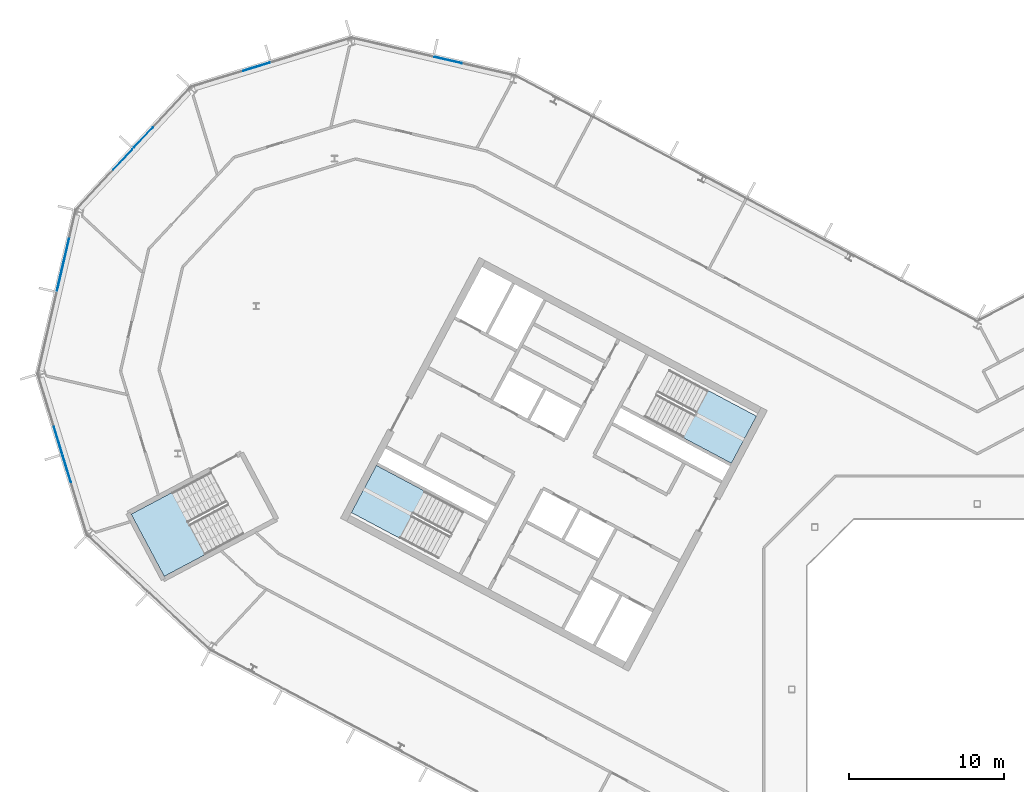
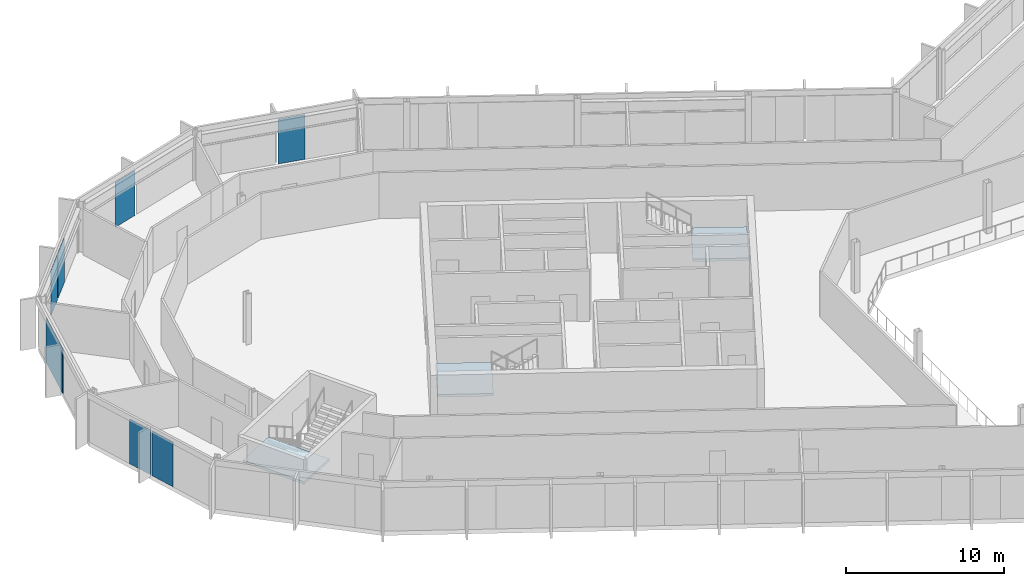
# One storey, part 11 of 26: 7 plates, 3 slabs, 8 elements without a shape of their own.
"""IFC4 building model written with IfcOpenShell, lengths in metres."""

from ifc_helpers import new_model, si_unit, direction, frame, origin, origin_2d, place, context, subcontext, project, spatial, polyline, rectangle, outline, extrude, material, layer, layer_set, type_object, element, aggregate, save


model = new_model("IFC4")

# Units and contexts
model_context = context("Model", 3, precision=1e-05, world=origin(), true_north=direction((0.0, 1.0)))
body_context = subcontext(model_context, "Body", "Model", "MODEL_VIEW")
ifc_project = project(units=[si_unit("LENGTHUNIT", "METRE"), si_unit("AREAUNIT", "SQUARE_METRE"), si_unit("VOLUMEUNIT", "CUBIC_METRE"), si_unit("PLANEANGLEUNIT", "RADIAN"), si_unit("MASSUNIT", "GRAM", prefix="KILO")], contexts=[model_context])

# Site, building, storey
site_placement = place(None, origin())
site = spatial("IfcSite", under=ifc_project, at=site_placement, CompositionType="ELEMENT")
building_placement = place(site_placement, origin())
building = spatial("IfcBuilding", under=site, at=building_placement, Name="Cormorant Relay Tower", CompositionType="ELEMENT")
storey_placement = place(building_placement, frame((0.0, 0.0, 308.699951171875)))
storey = spatial("IfcBuildingStorey", under=building, at=storey_placement, Name="L70", CompositionType="ELEMENT", Elevation=308.699951171875)

# Curtain wall, plate
ifc_material_1 = material(Name="Aluminium 6063-T6 anodised bronze", Category="aluminium")
ifc_layer_1 = layer(ifc_material_1, 0.199951171875)
ifc_layer_set_1 = layer_set([ifc_layer_1], Name="CW1 unitised bronze curtain wall with vertical fins")
curtain_wall_type = type_object("IfcCurtainWallType", Name="CW1 unitised bronze curtain wall with vertical fins", PredefinedType="NOTDEFINED", material=ifc_layer_set_1)
curtain_wall_1_placement = place(storey_placement, origin())
curtain_wall_1 = element("IfcCurtainWall", 1, at=curtain_wall_1_placement, inside=storey, type_object=curtain_wall_type, Name="CW1 curtain wall 10", PredefinedType="NOTDEFINED")
ifc_material_2 = material(Name="Tinted laminated glass", Category="glass")
ifc_layer_2 = layer(ifc_material_2, 0.0400390625)
ifc_layer_set_2 = layer_set([ifc_layer_2], Name="CW1 tinted vision panel 1800 module")
plate_type_1 = type_object("IfcPlateType", Name="CW1 tinted vision panel 1800 module", PredefinedType="CURTAIN_PANEL", material=ifc_layer_set_2)
plate_1_placement = place(storey_placement, frame((-34.215087890625, 40.69091796875, 0.0), z_axis=(0.0, 0.0, 1.0), x_axis=(-0.974370064785, 0.224951054344, 0.0)))
plate_1 = element("IfcPlate", 2, at=plate_1_placement, type_object=plate_type_1, Name="CW1 panel V01", PredefinedType="CURTAIN_PANEL", context=body_context, shape_type="SweptSolid", body=[
    extrude(rectangle(XDim=1.800048828125, YDim=0.0400390625, at=origin_2d()), origin(), (0.0, 0.0, 1.0), 3.449951171875),
])
aggregate(curtain_wall_1, [plate_1])

curtain_wall_2_placement = place(storey_placement, origin())
curtain_wall_2 = element("IfcCurtainWall", 3, at=curtain_wall_2_placement, inside=storey, type_object=curtain_wall_type, Name="CW1 curtain wall 11", PredefinedType="NOTDEFINED")
plate_2_placement = place(storey_placement, frame((-46.6015625, 40.25830078125, 0.0), z_axis=(0.0, 0.0, 1.0), x_axis=(-0.956304755963, -0.292371704723, 0.0)))
plate_2 = element("IfcPlate", 4, at=plate_2_placement, type_object=plate_type_1, Name="CW1 panel V01", PredefinedType="CURTAIN_PANEL", context=body_context, shape_type="SweptSolid", body=[
    extrude(rectangle(XDim=1.800048828125, YDim=0.0400390625, at=origin_2d()), origin(), (0.0, 0.0, 1.0), 3.449951171875),
])
aggregate(curtain_wall_2, [plate_2])

# Curtain wall, plates
curtain_wall_3_placement = place(storey_placement, origin())
curtain_wall_3 = element("IfcCurtainWall", 5, at=curtain_wall_3_placement, inside=storey, type_object=curtain_wall_type, Name="CW1 curtain wall 12", PredefinedType="NOTDEFINED")
plate_3_placement = place(storey_placement, frame((-53.91748046875, 35.68701171875, 0.0), z_axis=(0.0, 0.0, 1.0), x_axis=(-0.681998360062, -0.731353701619, 0.0)))
plate_3 = element("IfcPlate", 6, at=plate_3_placement, type_object=plate_type_1, Name="CW1 panel V01", PredefinedType="CURTAIN_PANEL", context=body_context, shape_type="SweptSolid", body=[
    extrude(rectangle(XDim=1.800048828125, YDim=0.0400390625, at=origin_2d()), origin(), (0.0, 0.0, 1.0), 3.449951171875),
])
plate_4_placement = place(storey_placement, frame((-55.247314453125, 34.2607421875, 0.0), z_axis=(0.0, 0.0, 1.0), x_axis=(-0.681998360062, -0.731353701619, 0.0)))
plate_4 = element("IfcPlate", 7, at=plate_4_placement, type_object=plate_type_1, Name="CW1 panel V02", PredefinedType="CURTAIN_PANEL", context=body_context, shape_type="SweptSolid", body=[
    extrude(rectangle(XDim=1.800048828125, YDim=0.0400390625, at=origin_2d()), origin(), (0.0, 0.0, 1.0), 3.449951171875),
])
aggregate(curtain_wall_3, [plate_3, plate_4])

curtain_wall_4_placement = place(storey_placement, origin())
curtain_wall_4 = element("IfcCurtainWall", 8, at=curtain_wall_4_placement, inside=storey, type_object=curtain_wall_type, Name="CW1 curtain wall 14", PredefinedType="NOTDEFINED")
plate_5_placement = place(storey_placement, frame((-59.434814453125, 16.122314453125, 0.0), z_axis=(0.0, 0.0, 1.0), x_axis=(0.292371704723, -0.956304755963, 0.0)))
plate_5 = element("IfcPlate", 9, at=plate_5_placement, type_object=plate_type_1, Name="CW1 panel V01", PredefinedType="CURTAIN_PANEL", context=body_context, shape_type="SweptSolid", body=[
    extrude(rectangle(XDim=1.800048828125, YDim=0.0400390625, at=origin_2d()), origin(), (0.0, 0.0, 1.0), 3.449951171875),
])
plate_6_placement = place(storey_placement, frame((-58.86474609375, 14.25732421875, 0.0), z_axis=(0.0, 0.0, 1.0), x_axis=(0.292371704723, -0.956304755963, 0.0)))
plate_6 = element("IfcPlate", 10, at=plate_6_placement, type_object=plate_type_1, Name="CW1 panel V02", PredefinedType="CURTAIN_PANEL", context=body_context, shape_type="SweptSolid", body=[
    extrude(rectangle(XDim=1.800048828125, YDim=0.0400390625, at=origin_2d()), origin(), (0.0, 0.0, 1.0), 3.449951171875),
])
aggregate(curtain_wall_4, [plate_5, plate_6])

# Curtain wall, plate
curtain_wall_5_placement = place(storey_placement, origin())
curtain_wall_5 = element("IfcCurtainWall", 11, at=curtain_wall_5_placement, inside=storey, type_object=curtain_wall_type, Name="CW1 curtain wall 13", PredefinedType="NOTDEFINED")
ifc_material_3 = material(Name="Tinted laminated glass", Category="glass")
ifc_layer_3 = layer(ifc_material_3, 0.0400390625)
ifc_layer_set_3 = layer_set([ifc_layer_3], Name="CW1 tinted vision panel 3600 module")
plate_type_2 = type_object("IfcPlateType", Name="CW1 tinted vision panel 3600 module", PredefinedType="CURTAIN_PANEL", material=ifc_layer_set_3)
plate_7_placement = place(storey_placement, frame((-59.094970703125, 27.520751953125, 0.0), z_axis=(0.0, 0.0, 1.0), x_axis=(-0.224951054344, -0.974370064785, 0.0)))
plate_7 = element("IfcPlate", 12, at=plate_7_placement, type_object=plate_type_2, Name="CW1 panel V01", PredefinedType="CURTAIN_PANEL", context=body_context, shape_type="SweptSolid", body=[
    extrude(rectangle(XDim=3.60009765625, YDim=0.0400390625, at=origin_2d()), origin(), (0.0, 0.0, 1.0), 3.449951171875),
])
aggregate(curtain_wall_5, [plate_7])

# Stair, slab
ifc_material_4 = material(Name="Concrete 40 MPa", Category="concrete")
stair_type_1 = type_object("IfcStairType", Name="Exit stair 1500", PredefinedType="HALF_TURN_STAIR", material=ifc_material_4)
stair_1_placement = place(storey_placement, origin())
stair_1 = element("IfcStair", 13, at=stair_1_placement, inside=storey, type_object=stair_type_1, Name="L70 Stair", PredefinedType="HALF_TURN_STAIR")
ifc_material_5 = material(Name="Concrete 40 MPa", Category="concrete")
ifc_layer_4 = layer(ifc_material_5, 0.199951171875)
ifc_layer_set_4 = layer_set([ifc_layer_4], Name="Exit stair landing 200")
slab_type = type_object("IfcSlabType", Name="Exit stair landing 200", PredefinedType="LANDING", material=ifc_layer_set_4)
slab_1_placement = place(storey_placement, frame((0.0, 0.0, 1.75)))
slab_1 = element("IfcSlab", 14, at=slab_1_placement, type_object=slab_type, Name="A1 landing 1", PredefinedType="LANDING", context=body_context, shape_type="SweptSolid", body=[
    extrude(outline(polyline([(-19.029541015625, 16.29052734375), (-15.89501953125, 14.6240234375), (-14.275390625, 17.670166015625), (-17.40966796875, 19.3369140625), (-19.029541015625, 16.29052734375)])), origin(), (0.0, 0.0, 1.0), 0.199951171875),
])
aggregate(stair_1, [slab_1])

stair_2_placement = place(storey_placement, origin())
stair_2 = element("IfcStair", 15, at=stair_2_placement, inside=storey, type_object=stair_type_1, Name="L70 Stair", PredefinedType="HALF_TURN_STAIR")
slab_2_placement = place(storey_placement, frame((0.0, 0.0, 1.75)))
slab_2 = element("IfcSlab", 16, at=slab_2_placement, type_object=slab_type, Name="A2 landing 1", PredefinedType="LANDING", context=body_context, shape_type="SweptSolid", body=[
    extrude(outline(polyline([(-35.71337890625, 12.816650390625), (-38.84765625, 14.483154296875), (-40.467529296875, 11.43701171875), (-37.3330078125, 9.7705078125), (-35.71337890625, 12.816650390625)])), origin(), (0.0, 0.0, 1.0), 0.199951171875),
])
aggregate(stair_2, [slab_2])

ifc_material_6 = material(Name="Concrete 40 MPa", Category="concrete")
stair_type_2 = type_object("IfcStairType", Name="Remote exit stair 2200", PredefinedType="HALF_TURN_STAIR", material=ifc_material_6)
stair_3_placement = place(storey_placement, origin())
stair_3 = element("IfcStair", 17, at=stair_3_placement, inside=storey, type_object=stair_type_2, Name="L70 Stair", PredefinedType="HALF_TURN_STAIR")
slab_3_placement = place(storey_placement, frame((0.0, 0.0, 1.75)))
slab_3 = element("IfcSlab", 18, at=slab_3_placement, type_object=slab_type, Name="RP1 landing 1", PredefinedType="LANDING", context=body_context, shape_type="SweptSolid", body=[
    extrude(outline(polyline([(-52.051025390625, 12.7392578125), (-54.699951171875, 11.330810546875), (-52.563720703125, 7.3134765625), (-49.914794921875, 8.721923828125), (-52.051025390625, 12.7392578125)])), origin(), (0.0, 0.0, 1.0), 0.199951171875),
])
aggregate(stair_3, [slab_3])

save(model, "model.ifc")
